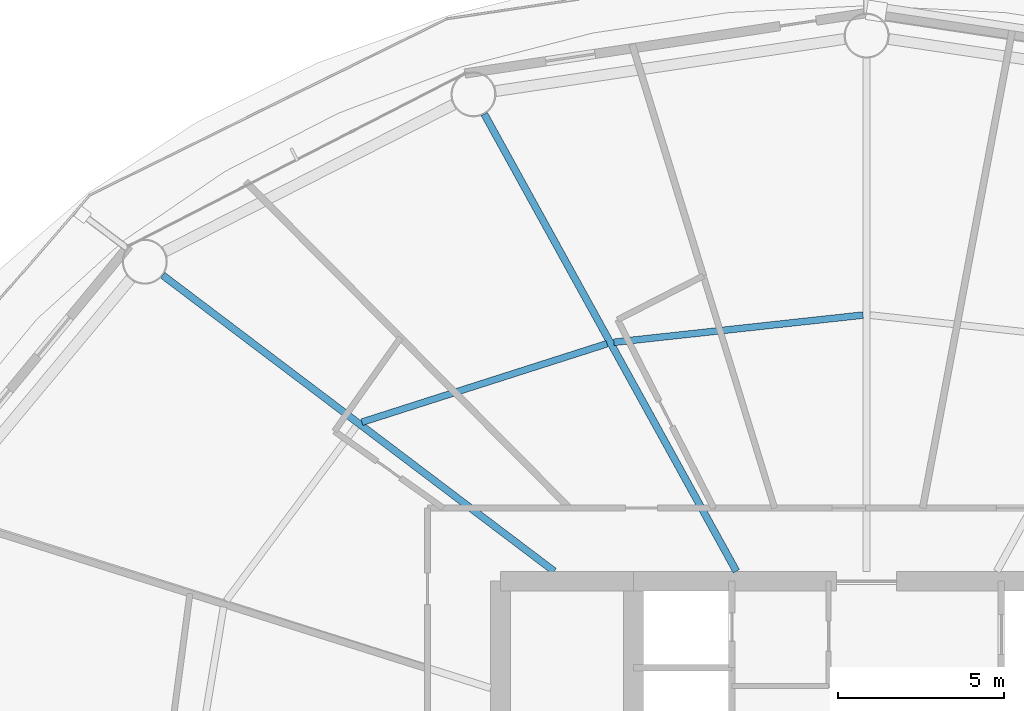
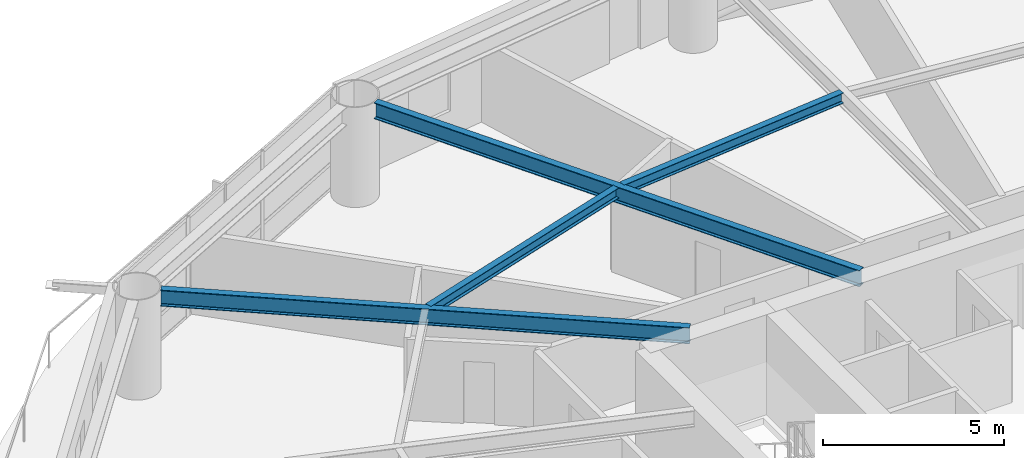
# One storey, part 11 of 26: 4 beams.
"""IFC4 building model written with IfcOpenShell, lengths in metres."""

from ifc_helpers import new_model, si_unit, direction, frame, origin, origin_2d, place, context, subcontext, project, spatial, i_section, extrude, material, material_profile, profile_set, type_object, element, save


model = new_model("IFC4")

# Units and contexts
model_context = context("Model", 3, precision=1e-05, world=origin(), true_north=direction((0.0, 1.0)))
body_context = subcontext(model_context, "Body", "Model", "MODEL_VIEW")
ifc_project = project(units=[si_unit("LENGTHUNIT", "METRE"), si_unit("AREAUNIT", "SQUARE_METRE"), si_unit("VOLUMEUNIT", "CUBIC_METRE"), si_unit("PLANEANGLEUNIT", "RADIAN"), si_unit("MASSUNIT", "GRAM", prefix="KILO")], contexts=[model_context])

# Site, building, storey
site_placement = place(None, origin())
site = spatial("IfcSite", under=ifc_project, at=site_placement, CompositionType="ELEMENT")
building_placement = place(site_placement, origin())
building = spatial("IfcBuilding", under=site, at=building_placement, Name="Sarneth Arch Tower", CompositionType="ELEMENT")
storey_placement = place(building_placement, frame((0.0, 0.0, 57.0)))
storey = spatial("IfcBuildingStorey", under=building, at=storey_placement, Name="L13", CompositionType="ELEMENT", Elevation=57.0)

# Beams
ifc_material_1 = material(Name="Steel S355", Category="steel")
ifc_material_profile_1 = material_profile(ifc_material_1, i_section(OverallWidth=0.2041015625, OverallDepth=0.35009765625, WebThickness=0.008544921875, FlangeThickness=0.01513671875, FilletRadius=0.014892578125, at=origin_2d()), Name="W360x72")
ifc_profile_set_1 = profile_set([ifc_material_profile_1], Name="Steel S355")
beam_type_1 = type_object("IfcBeamType", Name="BM-JOIST-360D", PredefinedType="JOIST", material=ifc_profile_set_1)
beam_1_placement = place(storey_placement, frame((47.8935546875, 56.80078125, 3.205078125), z_axis=(-0.994095251924, -0.108510967657, 0.0), x_axis=(0.108510967657, -0.994095251924, 0.0)))
element("IfcBeam", 1, at=beam_1_placement, inside=storey, type_object=beam_type_1, Name="L13 Secondary floor joist 05", PredefinedType="JOIST", context=body_context, shape_type="SweptSolid", body=[
    extrude(i_section(OverallWidth=0.2041015625, OverallDepth=0.35009765625, WebThickness=0.008544921875, FlangeThickness=0.01513671875, FilletRadius=0.014892578125, at=origin_2d()), origin(), (0.0, 0.0, 1.0), 7.534912109375),
])
beam_2_placement = place(storey_placement, frame((40.19482421875, 55.938720703125, 3.205078125), z_axis=(-0.952436240143, -0.304737934073, 0.0), x_axis=(0.304737934073, -0.952436240143, 0.0)))
element("IfcBeam", 2, at=beam_2_placement, inside=storey, type_object=beam_type_1, Name="L13 Secondary floor joist 06", PredefinedType="JOIST", context=body_context, shape_type="SweptSolid", body=[
    extrude(i_section(OverallWidth=0.2041015625, OverallDepth=0.35009765625, WebThickness=0.008544921875, FlangeThickness=0.01513671875, FilletRadius=0.014892578125, at=origin_2d()), origin(), (0.0, 0.0, 1.0), 7.735107421875),
])
ifc_material_2 = material(Name="Steel S355", Category="steel")
ifc_material_profile_2 = material_profile(ifc_material_2, i_section(OverallWidth=0.214111328125, OverallDepth=0.549072265625, WebThickness=0.0146484375, FlangeThickness=0.023681640625, FilletRadius=0.01806640625, at=origin_2d()), Name="W530x138")
ifc_profile_set_2 = profile_set([ifc_material_profile_2], Name="Steel S355")
beam_type_2 = type_object("IfcBeamType", Name="BM-RAD-530A", PredefinedType="BEAM", material=ifc_profile_set_2)
beam_3_placement = place(storey_placement, frame((44.08544921875, 49.10009765625, 3.10546875), z_axis=(-0.482837562311, 0.875709933952, 0.0), x_axis=(-0.875709933952, -0.482837562311, 0.0)))
element("IfcBeam", 3, at=beam_3_placement, inside=storey, type_object=beam_type_2, Name="L13 Radial floor girder 06", PredefinedType="BEAM", context=body_context, shape_type="SweptSolid", body=[
    extrude(i_section(OverallWidth=0.214111328125, OverallDepth=0.549072265625, WebThickness=0.0146484375, FlangeThickness=0.023681640625, FilletRadius=0.01806640625, at=origin_2d()), origin(), (0.0, 0.0, 1.0), 15.693359375),
])
beam_4_placement = place(storey_placement, frame((38.609619140625, 49.10009765625, 3.10546875), z_axis=(-0.797656612852, 0.603111870198, 0.0), x_axis=(-0.603111870198, -0.797656612852, 0.0)))
element("IfcBeam", 4, at=beam_4_placement, inside=storey, type_object=beam_type_2, Name="L13 Radial floor girder 07", PredefinedType="BEAM", context=body_context, shape_type="SweptSolid", body=[
    extrude(i_section(OverallWidth=0.214111328125, OverallDepth=0.549072265625, WebThickness=0.0146484375, FlangeThickness=0.023681640625, FilletRadius=0.01806640625, at=origin_2d()), origin(), (0.0, 0.0, 1.0), 14.7529296875),
])

save(model, "model.ifc")
